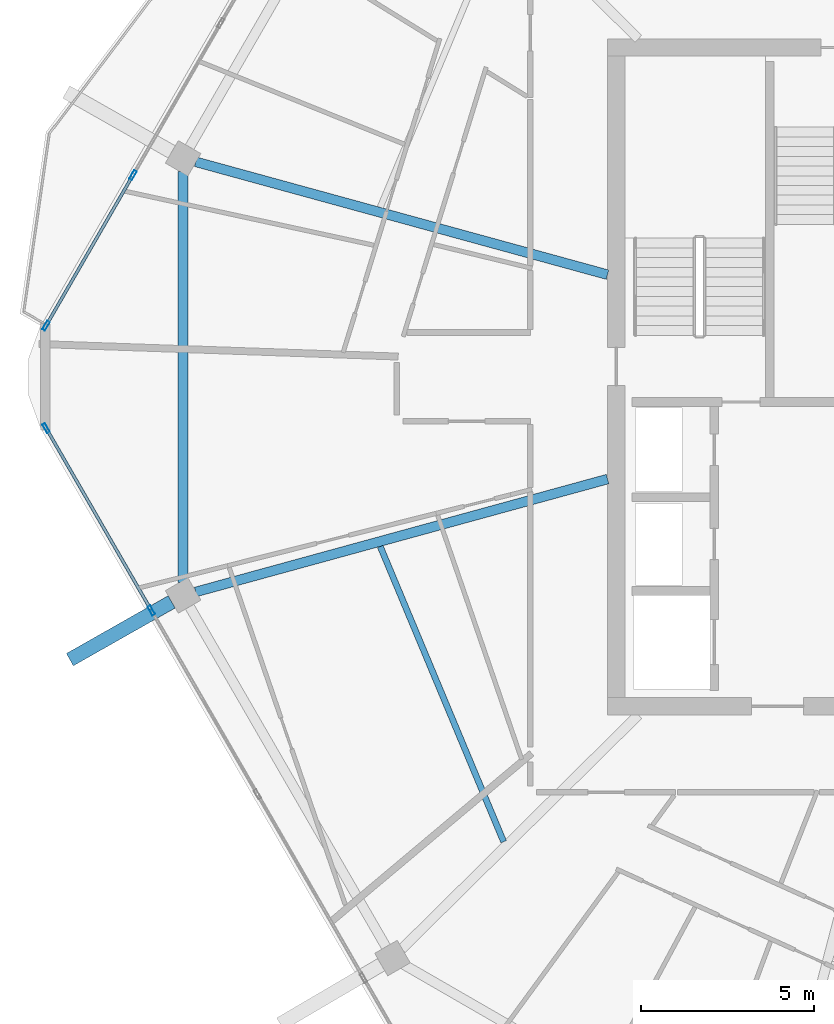
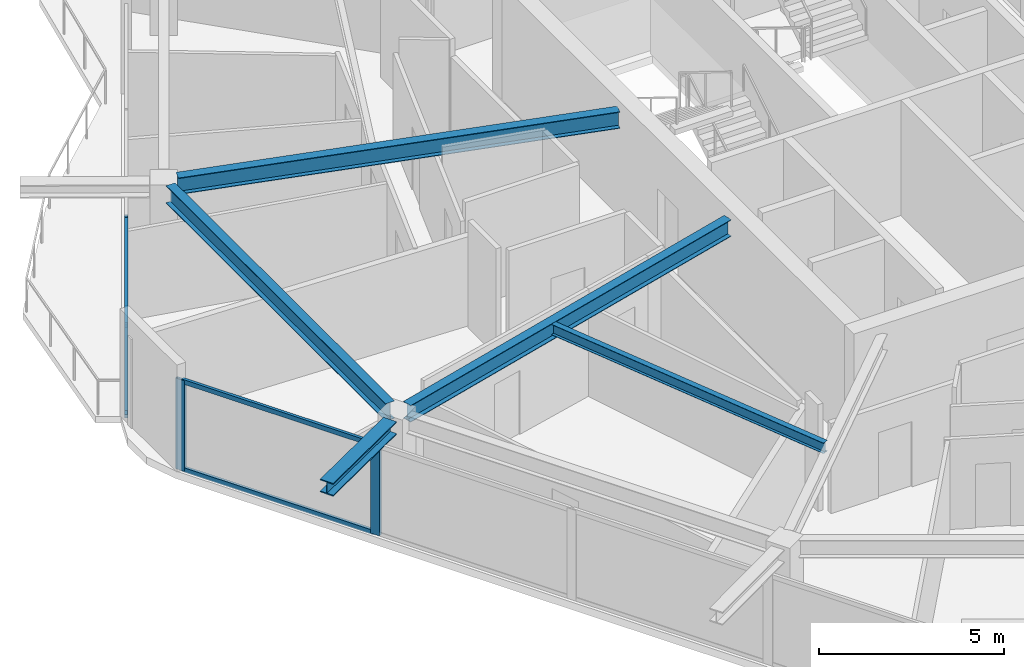
# One storey, part 4 of 23: 8 members, 5 beams, 2 elements without a shape of their own.
"""IFC4 building model written with IfcOpenShell, lengths in metres."""

import ifcopenshell
import ifcopenshell.guid

model = None  # the IFC model being written
_history = None  # IfcOwnerHistory: only IFC2X3 demands one
_inside = {}  # id of a spatial element -> (the spatial element, [elements in it])
_under = {}  # id of a project, library or spatial element -> (it, [spatial elements below it])
_declared = {}  # id of a project -> (the project, [libraries it declares])
_typed = {}  # id of a type object -> (the type object, [elements of that type])
_made_of = {}  # id of a material, layer set ... -> (it, [elements and type objects made of it])


def new_model(schema):
    """Start an empty IFC model of exactly this schema.

    Asked for "IFC4X3", IfcOpenShell would pick the latest addendum, in which some entities
    have other attributes; the version numbers below select the first issue.
    IFC2X3 requires an IfcOwnerHistory on every rooted entity: one is made here for all.
    """
    global model, _history
    if schema == "IFC4X3":
        model = ifcopenshell.file(schema_version=(4, 3, 0, 0))
    else:
        model = ifcopenshell.file(schema=schema)
    _inside.clear()
    _under.clear()
    _declared.clear()
    _typed.clear()
    _made_of.clear()
    _history = None
    if model.schema == "IFC2X3":
        org = make("IfcOrganization", Name="unknown")
        user = make(
            "IfcPersonAndOrganization",
            ThePerson=make("IfcPerson", FamilyName="unknown"),
            TheOrganization=org,
        )
        app = make(
            "IfcApplication",
            ApplicationDeveloper=org,
            Version="unknown",
            ApplicationFullName="unknown",
            ApplicationIdentifier="unknown",
        )
        _history = make(
            "IfcOwnerHistory",
            OwningUser=user,
            OwningApplication=app,
            ChangeAction="ADDED",
            CreationDate=0,
        )
    return model


def make(cls, **values):
    """One entity of the class cls with the attributes given. An attribute that is None is left unset."""
    return model.create_entity(
        cls, **{name: value for name, value in values.items() if value is not None}
    )


def rooted(cls, **values):
    """An entity with a GlobalId (a new one), such as an element, a storey or a relation."""
    return make(cls, GlobalId=ifcopenshell.guid.new(), OwnerHistory=_history, **values)


def si_unit(unit_type, name, prefix=None):
    """IfcSIUnit, for example si_unit("LENGTHUNIT", "METRE", prefix="MILLI")."""
    return make("IfcSIUnit", UnitType=unit_type, Prefix=prefix, Name=name)


def assignment(units):
    """IfcUnitAssignment: the units of a project."""
    return None if units is None else make("IfcUnitAssignment", Units=units)


def point(xyz):
    """IfcCartesianPoint."""
    return None if xyz is None else make("IfcCartesianPoint", Coordinates=xyz)


def direction(xyz):
    """IfcDirection."""
    return None if xyz is None else make("IfcDirection", DirectionRatios=xyz)


def frame(location, z_axis=None, x_axis=None):
    """IfcAxis2Placement3D, a coordinate frame: its origin and axes. An axis left out is left unset."""
    return make(
        "IfcAxis2Placement3D",
        Location=point(location),
        Axis=direction(z_axis),
        RefDirection=direction(x_axis),
    )


def frame_2d(location, x_axis=None):
    """IfcAxis2Placement2D, a coordinate frame in the plane: its origin and x axis."""
    return make(
        "IfcAxis2Placement2D", Location=point(location), RefDirection=direction(x_axis)
    )


def origin():
    """The frame at (0, 0, 0) with its axes left unset."""
    return frame((0.0, 0.0, 0.0))


def origin_2d():
    """The frame at (0, 0) in the plane with its x axis left unset."""
    return frame_2d((0.0, 0.0))


def place(relative_to, where):
    """IfcLocalPlacement: puts the frame where relative to a parent placement (None: the world)."""
    return make(
        "IfcLocalPlacement", PlacementRelTo=relative_to, RelativePlacement=where
    )


def context(
    kind, dimensions, precision=None, world=None, true_north=None, identifier=None
):
    """IfcGeometricRepresentationContext, for example the 3D "Model" context."""
    return make(
        "IfcGeometricRepresentationContext",
        ContextIdentifier=identifier,
        ContextType=kind,
        CoordinateSpaceDimension=dimensions,
        Precision=precision,
        WorldCoordinateSystem=world,
        TrueNorth=true_north,
    )


def subcontext(parent, identifier, kind, view, scale=None):
    """IfcGeometricRepresentationSubContext, for example "Body" below "Model"."""
    return make(
        "IfcGeometricRepresentationSubContext",
        ContextIdentifier=identifier,
        ContextType=kind,
        ParentContext=parent,
        TargetScale=scale,
        TargetView=view,
    )


def project(units=None, contexts=None):
    """IfcProject with its units and contexts."""
    return rooted(
        "IfcProject",
        Name="project",
        RepresentationContexts=contexts,
        UnitsInContext=assignment(units),
    )


def spatial(cls, under=None, at=None, **own):
    """A site, building, storey or space (cls), placed at a placement, below another one or the project."""
    s = rooted(cls, ObjectPlacement=at, **own)
    if under is not None:
        _under.setdefault(under.id(), (under, []))[1].append(s)
    return s


def profile(cls, at=None, kind="AREA", **sizes):
    """A parametric profile (cls). Its sizes go by their IFC names, for example OverallWidth=200.0."""
    return make(cls, ProfileType=kind, Position=at, **sizes)


def hollow_rectangle(**sizes):
    """IfcRectangleHollowProfileDef."""
    return profile("IfcRectangleHollowProfileDef", **sizes)


def i_section(**sizes):
    """IfcIShapeProfileDef."""
    return profile("IfcIShapeProfileDef", **sizes)


def extrude(swept, where, along, depth):
    """IfcExtrudedAreaSolid: the profile swept, set in the frame where, extruded along a direction by depth."""
    return make(
        "IfcExtrudedAreaSolid",
        SweptArea=swept,
        Position=where,
        ExtrudedDirection=direction(along),
        Depth=depth,
    )


def shape(context_of_items, identifier, shape_type, items):
    """IfcShapeRepresentation: the items that make up one representation, for example the "Body"."""
    return make(
        "IfcShapeRepresentation",
        ContextOfItems=context_of_items,
        RepresentationIdentifier=identifier,
        RepresentationType=shape_type,
        Items=items,
    )


def material(Name=None, Category=None):
    """IfcMaterial."""
    return make("IfcMaterial", Name=Name, Category=Category)


def material_profile(
    of_material, cross_section, Name=None, Category=None, Priority=None
):
    """IfcMaterialProfile: a cross section and its material."""
    return make(
        "IfcMaterialProfile",
        Name=Name,
        Material=of_material,
        Profile=cross_section,
        Priority=Priority,
        Category=Category,
    )


def profile_set(profiles, Name=None, composite=None):
    """IfcMaterialProfileSet."""
    return make(
        "IfcMaterialProfileSet",
        Name=Name,
        MaterialProfiles=profiles,
        CompositeProfile=composite,
    )


def made_of(thing, what):
    """Note that an element or type object is made of a material, layer set ...; save() writes the relation."""
    if what is not None:
        _made_of.setdefault(what.id(), (what, []))[1].append(thing)
    return thing


def type_object(cls, material=None, **own):
    """A type object (cls), such as IfcWallType, which elements share."""
    return made_of(rooted(cls, **own), material)


def element(
    cls,
    number,
    at=None,
    inside=None,
    cuts=None,
    type_object=None,
    material=None,
    context=None,
    identifier="Body",
    shape_type=None,
    held_by="IfcProductDefinitionShape",
    body=None,
    shapes=None,
    **own,
):
    """One element of the class cls, such as IfcWall. Its Tag is "e" and its number.

    at: its placement. inside: the storey or other place that contains it. cuts: it is an
    opening in that element (IfcRelVoidsElement). A single representation is given by context,
    identifier, shape_type and body (its items); several are given by shapes. held_by: the class
    of the entity that holds the representations. save() writes the other relations.
    """
    e = rooted(cls, Tag="e%d" % number, ObjectPlacement=at, **own)
    if body is not None:
        shapes = [shape(context, identifier, shape_type, body)]
    if shapes is not None:
        e.Representation = make(held_by, Representations=shapes)
    if inside is not None:
        _inside.setdefault(inside.id(), (inside, []))[1].append(e)
    if cuts is not None:
        rooted(
            "IfcRelVoidsElement", RelatingBuildingElement=cuts, RelatedOpeningElement=e
        )
    if type_object is not None:
        _typed.setdefault(type_object.id(), (type_object, []))[1].append(e)
    return made_of(e, material)


def aggregate(whole, parts):
    """IfcRelAggregates: a whole, such as a stair, and the parts it consists of."""
    return rooted("IfcRelAggregates", RelatingObject=whole, RelatedObjects=parts)


def save(model, path):
    """Write the relations noted so far, then the file.

    IfcRelAggregates (storeys below a building ...), IfcRelContainedInSpatialStructure (elements
    in a storey), IfcRelDefinesByType, IfcRelAssociatesMaterial and IfcRelDeclares: one each for
    every whole, place, type object, material and project.
    """
    for whole, parts in _under.values():
        aggregate(whole, parts)
    for where, things in _inside.values():
        rooted(
            "IfcRelContainedInSpatialStructure",
            RelatedElements=things,
            RelatingStructure=where,
        )
    for kind, things in _typed.values():
        rooted("IfcRelDefinesByType", RelatedObjects=things, RelatingType=kind)
    for what, things in _made_of.values():
        rooted("IfcRelAssociatesMaterial", RelatedObjects=things, RelatingMaterial=what)
    for by, libraries in _declared.values():
        rooted("IfcRelDeclares", RelatingContext=by, RelatedDefinitions=libraries)
    model.write(path)


model = new_model("IFC4")

# Units and contexts
model_context = context("Model", 3, precision=1e-05, world=origin(), true_north=direction((0.0, 1.0)))
body_context = subcontext(model_context, "Body", "Model", "MODEL_VIEW")
ifc_project = project(units=[si_unit("LENGTHUNIT", "METRE"), si_unit("AREAUNIT", "SQUARE_METRE"), si_unit("VOLUMEUNIT", "CUBIC_METRE"), si_unit("PLANEANGLEUNIT", "RADIAN"), si_unit("MASSUNIT", "GRAM", prefix="KILO")], contexts=[model_context])

# Site, building, storey
site_placement = place(None, origin())
site = spatial("IfcSite", under=ifc_project, at=site_placement, CompositionType="ELEMENT")
building_placement = place(site_placement, origin())
building = spatial("IfcBuilding", under=site, at=building_placement, Name="Zuhravey Tower", CompositionType="ELEMENT")
storey_placement = place(building_placement, frame((0.0, 0.0, 350.0)))
storey = spatial("IfcBuildingStorey", under=building, at=storey_placement, Name="L89", CompositionType="ELEMENT", Elevation=350.0)

# Curtain wall, members
ifc_material_1 = material(Name="Thermally broken anodised aluminium", Category="aluminium")
curtain_wall_type = type_object("IfcCurtainWallType", Name="Zone 3-4 High-Rise Curtain Wall CW4", PredefinedType="NOTDEFINED", material=ifc_material_1)
curtain_wall_1_placement = place(storey_placement, origin())
curtain_wall_1 = element("IfcCurtainWall", 1, at=curtain_wall_1_placement, inside=storey, type_object=curtain_wall_type, Name="L89 CW4 CW-L89-F4-1", PredefinedType="NOTDEFINED")
ifc_material_2 = material(Name="Anodised aluminium", Category="aluminium")
ifc_material_profile_1 = material_profile(ifc_material_2, hollow_rectangle(XDim=0.090087890625, YDim=0.284912109375, WallThickness=0.0048828125, at=origin_2d()), Name="ALU-RHS-90x285x5")
ifc_profile_set_1 = profile_set([ifc_material_profile_1], Name="Anodised aluminium")
member_type_1 = type_object("IfcMemberType", Name="Curtain-Wall Mullion 90x180", PredefinedType="MULLION", material=ifc_profile_set_1)
member_1_placement = place(storey_placement, frame((12.09130859375, 25.2626953125, 0.0), z_axis=(0.0, 0.0, 1.0), x_axis=(-0.866025511541, -0.49999981336, 0.0)))
member_1 = element("IfcMember", 2, at=member_1_placement, type_object=member_type_1, Name="CW4 mullion 4", PredefinedType="MULLION", context=body_context, shape_type="SweptSolid", body=[
    extrude(hollow_rectangle(XDim=0.090087890625, YDim=0.284912109375, WallThickness=0.0048828125, at=origin_2d()), origin(), (0.0, 0.0, 1.0), 2.987060546875),
])
member_2_placement = place(storey_placement, frame((9.05419921875, 30.5234375, 0.0), z_axis=(0.0, 0.0, 1.0), x_axis=(-0.866025511541, -0.49999981336, 0.0)))
member_2 = element("IfcMember", 3, at=member_2_placement, type_object=member_type_1, Name="CW4 mullion 5", PredefinedType="MULLION", context=body_context, shape_type="SweptSolid", body=[
    extrude(hollow_rectangle(XDim=0.090087890625, YDim=0.284912109375, WallThickness=0.0048828125, at=origin_2d()), origin(), (0.0, 0.0, 1.0), 2.987060546875),
])

curtain_wall_2_placement = place(storey_placement, origin())
curtain_wall_2 = element("IfcCurtainWall", 4, at=curtain_wall_2_placement, inside=storey, type_object=curtain_wall_type, Name="L89 CW4 CW-L89-F3-1", PredefinedType="NOTDEFINED")
member_3_placement = place(storey_placement, frame((9.05419921875, 33.4765625, 0.0), z_axis=(0.0, 0.0, 1.0), x_axis=(-0.866026379614, 0.49999830981, 0.0)))
member_3 = element("IfcMember", 5, at=member_3_placement, type_object=member_type_1, Name="CW4 mullion 1", PredefinedType="MULLION", context=body_context, shape_type="SweptSolid", body=[
    extrude(hollow_rectangle(XDim=0.090087890625, YDim=0.284912109375, WallThickness=0.0048828125, at=origin_2d()), origin(), (0.0, 0.0, 1.0), 2.987060546875),
])
member_4_placement = place(storey_placement, frame((11.56103515625, 37.81884765625, 0.0), z_axis=(0.0, 0.0, 1.0), x_axis=(-0.866026379614, 0.49999830981, 0.0)))
member_4 = element("IfcMember", 6, at=member_4_placement, type_object=member_type_1, Name="CW4 mullion 2", PredefinedType="MULLION", context=body_context, shape_type="SweptSolid", body=[
    extrude(hollow_rectangle(XDim=0.090087890625, YDim=0.284912109375, WallThickness=0.0048828125, at=origin_2d()), origin(), (0.0, 0.0, 1.0), 2.987060546875),
])

# Member
ifc_material_profile_2 = material_profile(ifc_material_2, hollow_rectangle(XDim=0.090087890625, YDim=0.14990234375, WallThickness=0.0048828125, at=origin_2d()), Name="ALU-RHS-90x150x5")
ifc_profile_set_2 = profile_set([ifc_material_profile_2], Name="Anodised aluminium")
member_type_2 = type_object("IfcMemberType", Name="Curtain-Wall Transom 90x150", PredefinedType="USERDEFINED", material=ifc_profile_set_2)
member_5_placement = place(storey_placement, frame((12.06884765625, 25.3017578125, 0.044921875), z_axis=(-0.499982594807, 0.866035452444, 0.0), x_axis=(-0.866035452444, -0.499982594807, 0.0)))
member_5 = element("IfcMember", 7, at=member_5_placement, type_object=member_type_2, Name="CW4 transom 4.1", ObjectType="TRANSOM", PredefinedType="USERDEFINED", context=body_context, shape_type="SweptSolid", body=[
    extrude(hollow_rectangle(XDim=0.090087890625, YDim=0.14990234375, WallThickness=0.0048828125, at=origin_2d()), origin(), (0.0, 0.0, 1.0), 5.984619140625),
])

member_6_placement = place(storey_placement, frame((12.06884765625, 25.3017578125, 2.94189453125), z_axis=(-0.499982594807, 0.866035452444, 0.0), x_axis=(-0.866035452444, -0.499982594807, 0.0)))
member_6 = element("IfcMember", 8, at=member_6_placement, type_object=member_type_2, Name="CW4 transom 4.2", ObjectType="TRANSOM", PredefinedType="USERDEFINED", context=body_context, shape_type="SweptSolid", body=[
    extrude(hollow_rectangle(XDim=0.090087890625, YDim=0.14990234375, WallThickness=0.0048828125, at=origin_2d()), origin(), (0.0, 0.0, 1.0), 5.984619140625),
])

aggregate(curtain_wall_1, [member_1, member_2, member_5, member_6])

member_7_placement = place(storey_placement, frame((9.07666015625, 33.515380859375, 0.044921875), z_axis=(0.499978537859, 0.866037794603, 0.0), x_axis=(-0.866037794603, 0.499978537859, 0.0)))
member_7 = element("IfcMember", 9, at=member_7_placement, type_object=member_type_2, Name="CW4 transom 1.1", ObjectType="TRANSOM", PredefinedType="USERDEFINED", context=body_context, shape_type="SweptSolid", body=[
    extrude(hollow_rectangle(XDim=0.090087890625, YDim=0.14990234375, WallThickness=0.0048828125, at=origin_2d()), origin(), (0.0, 0.0, 1.0), 4.924072265625),
])

member_8_placement = place(storey_placement, frame((9.07666015625, 33.515380859375, 2.94189453125), z_axis=(0.499978537859, 0.866037794603, 0.0), x_axis=(-0.866037794603, 0.499978537859, 0.0)))
member_8 = element("IfcMember", 10, at=member_8_placement, type_object=member_type_2, Name="CW4 transom 1.2", ObjectType="TRANSOM", PredefinedType="USERDEFINED", context=body_context, shape_type="SweptSolid", body=[
    extrude(hollow_rectangle(XDim=0.090087890625, YDim=0.14990234375, WallThickness=0.0048828125, at=origin_2d()), origin(), (0.0, 0.0, 1.0), 4.924072265625),
])

aggregate(curtain_wall_2, [member_3, member_4, member_7, member_8])

# Beams
ifc_material_3 = material(Name="Steel SM460", Category="steel")
ifc_material_profile_3 = material_profile(ifc_material_3, i_section(OverallWidth=0.406982421875, OverallDepth=0.427978515625, WebThickness=0.02001953125, FlangeThickness=0.034912109375, at=origin_2d()), Name="H-428x407x20x35")
ifc_profile_set_3 = profile_set([ifc_material_profile_3], Name="Steel SM460")
beam_type_1 = type_object("IfcBeamType", Name="Exoskeleton Node Tie Beam H428x407", PredefinedType="BEAM", material=ifc_profile_set_3)
beam_1_placement = place(storey_placement, frame((12.677001953125, 25.510498046875, 3.200927734375), z_axis=(-0.86983187014, -0.493348272206, 0.0), x_axis=(0.493348272206, -0.86983187014, 0.0)))
element("IfcBeam", 11, at=beam_1_placement, inside=storey, type_object=beam_type_1, Name="L89 Exoskeleton Node Tie NT1-07", PredefinedType="BEAM", context=body_context, shape_type="SweptSolid", body=[
    extrude(i_section(OverallWidth=0.406982421875, OverallDepth=0.427978515625, WebThickness=0.02001953125, FlangeThickness=0.034912109375, at=origin_2d()), origin(), (0.0, 0.0, 1.0), 3.3759765625),
])
ifc_material_4 = material(Name="Steel SM355", Category="steel")
ifc_material_profile_4 = material_profile(ifc_material_4, i_section(OverallWidth=0.280029296875, OverallDepth=0.580078125, WebThickness=0.011962890625, FlangeThickness=0.01904296875, at=origin_2d()), Name="H-580x280x12x19")
ifc_profile_set_4 = profile_set([ifc_material_profile_4], Name="Steel SM355")
beam_type_2 = type_object("IfcBeamType", Name="Perimeter Ring Beam H580x280", PredefinedType="BEAM", material=ifc_profile_set_4)
beam_2_placement = place(storey_placement, frame((13.006591796875, 37.92431640625, 3.22998046875), z_axis=(0.0, -1.0, 0.0), x_axis=(1.0, 0.0, 0.0)))
element("IfcBeam", 12, at=beam_2_placement, inside=storey, type_object=beam_type_2, Name="L89 PB4 BM-L89-PB-06", PredefinedType="BEAM", context=body_context, shape_type="SweptSolid", body=[
    extrude(i_section(OverallWidth=0.280029296875, OverallDepth=0.580078125, WebThickness=0.011962890625, FlangeThickness=0.01904296875, at=origin_2d()), origin(), (0.0, 0.0, 1.0), 11.8486328125),
])
ifc_material_profile_5 = material_profile(ifc_material_4, i_section(OverallWidth=0.280029296875, OverallDepth=0.550048828125, WebThickness=0.010986328125, FlangeThickness=0.01806640625, at=origin_2d()), Name="H-550x280x11x18")
ifc_profile_set_5 = profile_set([ifc_material_profile_5], Name="Steel SM355")
beam_type_3 = type_object("IfcBeamType", Name="Radial Primary Girder H550x280", PredefinedType="BEAM", material=ifc_profile_set_5)
for number, where, z_axis, x_axis, name in (
    (13, (25.2470703125, 34.947265625, 3.2451171875), (-0.964428588077, 0.264343523658, 0.0), (-0.264343523658, -0.964428588077, 0.0), "L89 RG4 BM-L89-RAD-06"),
    (14, (25.2470703125, 29.052734375, 3.2451171875), (-0.964428588077, -0.264343523658, 0.0), (0.264343523658, -0.964428588077, 0.0), "L89 RG4 BM-L89-RAD-07"),
):
    element("IfcBeam", number, at=place(storey_placement, frame(where, z_axis=z_axis, x_axis=x_axis)), inside=storey, type_object=beam_type_3, Name=name, PredefinedType="BEAM", context=body_context, shape_type="SweptSolid", body=[
        extrude(i_section(OverallWidth=0.280029296875, OverallDepth=0.550048828125, WebThickness=0.010986328125, FlangeThickness=0.01806640625, at=origin_2d()), origin(), (0.0, 0.0, 1.0), 12.31396484375),
    ])
ifc_material_profile_6 = material_profile(ifc_material_4, i_section(OverallWidth=0.175048828125, OverallDepth=0.35009765625, WebThickness=0.007080078125, FlangeThickness=0.010986328125, at=origin_2d()), Name="H-350x175x7x11")
ifc_profile_set_6 = profile_set([ifc_material_profile_6], Name="Steel SM355")
beam_type_4 = type_object("IfcBeamType", Name="Secondary Floor Joist H350x175", PredefinedType="JOIST", material=ifc_profile_set_6)
beam_3_placement = place(storey_placement, frame((18.692626953125, 27.108154296875, 3.344970703125), z_axis=(0.385657891576, -0.922641853953, 0.0), x_axis=(0.922641853953, 0.385657891576, 0.0)))
element("IfcBeam", 15, at=beam_3_placement, inside=storey, type_object=beam_type_4, Name="L89 SJ3 BM-L89-SJ-07-1", PredefinedType="JOIST", context=body_context, shape_type="SweptSolid", body=[
    extrude(i_section(OverallWidth=0.175048828125, OverallDepth=0.35009765625, WebThickness=0.007080078125, FlangeThickness=0.010986328125, at=origin_2d()), origin(), (0.0, 0.0, 1.0), 9.226806640625),
])

save(model, "model.ifc")
